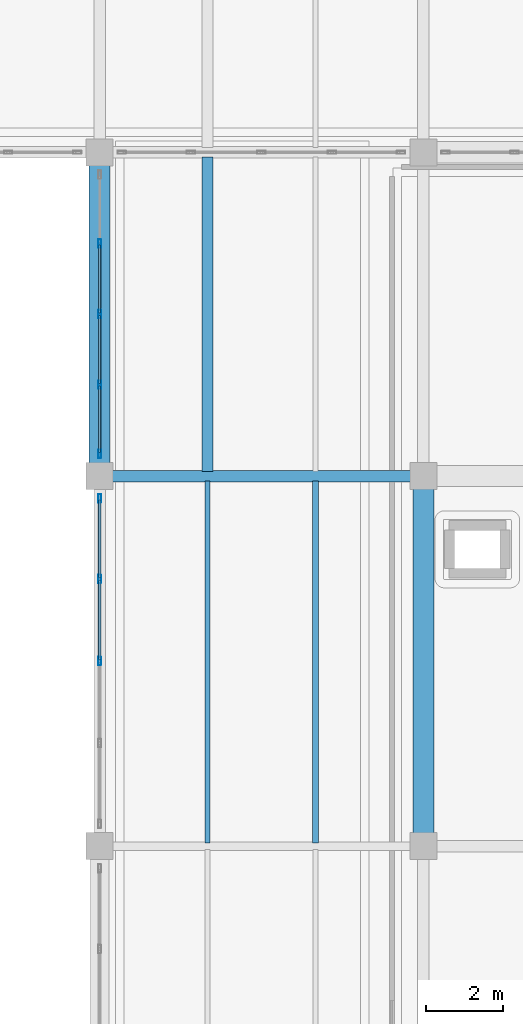
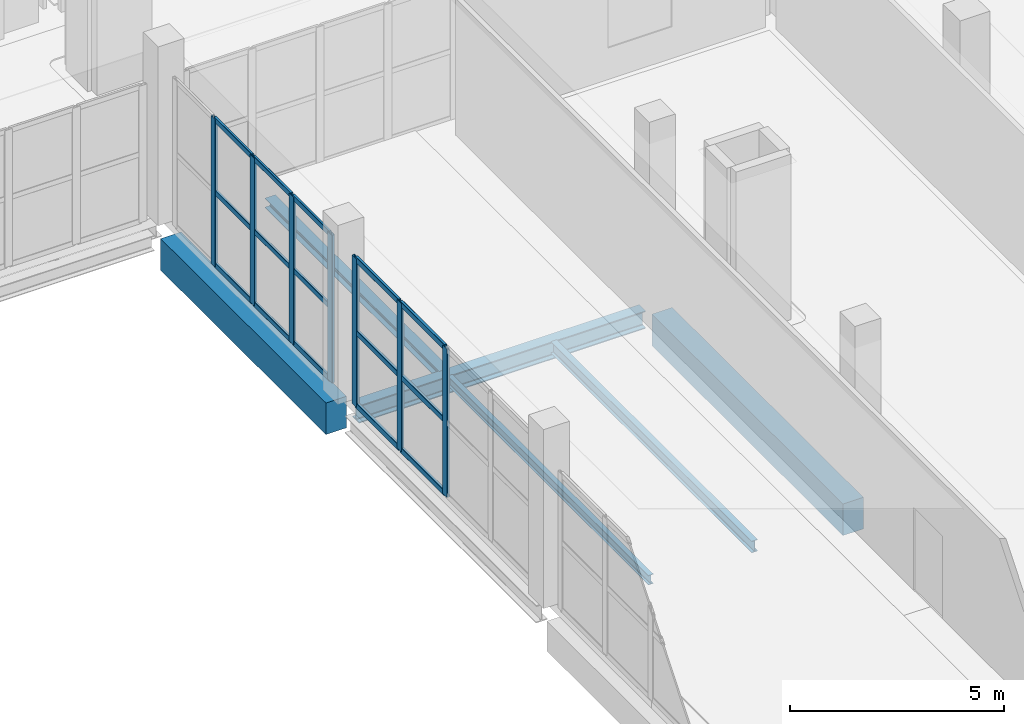
# One storey, part 30 of 73: 22 members, 6 beams, 2 elements without a shape of their own.
"""IFC4 building model written with IfcOpenShell, lengths in metres."""

from ifc_helpers import new_model, si_unit, direction, frame, origin, origin_2d, place, context, subcontext, project, spatial, rectangle, hollow_rectangle, i_section, extrude, material, layer, layer_set, material_profile, profile_set, type_object, element, aggregate, save


model = new_model("IFC4")

# Units and contexts
model_context = context("Model", 3, precision=1e-05, world=origin(), true_north=direction((0.0, 1.0)))
body_context = subcontext(model_context, "Body", "Model", "MODEL_VIEW")
ifc_project = project(units=[si_unit("LENGTHUNIT", "METRE"), si_unit("AREAUNIT", "SQUARE_METRE"), si_unit("VOLUMEUNIT", "CUBIC_METRE"), si_unit("PLANEANGLEUNIT", "RADIAN"), si_unit("MASSUNIT", "GRAM", prefix="KILO")], contexts=[model_context])

# Site, building, storey
site_placement = place(None, origin())
site = spatial("IfcSite", under=ifc_project, at=site_placement, CompositionType="ELEMENT")
building_placement = place(site_placement, origin())
building = spatial("IfcBuilding", under=site, at=building_placement, Name="Zulmaris Art Gallery", CompositionType="ELEMENT")
storey_placement = place(building_placement, frame((0.0, 0.0, 10.5)))
storey = spatial("IfcBuildingStorey", under=building, at=storey_placement, Name="L02", CompositionType="ELEMENT", Elevation=10.5)

# Beams
ifc_material_1 = material(Name="Steel S355J2", Category="steel")
ifc_material_profile_1 = material_profile(ifc_material_1, i_section(OverallWidth=0.300048828125, OverallDepth=0.5, WebThickness=0.014404296875, FlangeThickness=0.028076171875, FilletRadius=0.027099609375, at=origin_2d()), Name="HEB 500")
ifc_profile_set_1 = profile_set([ifc_material_profile_1], Name="Steel S355J2")
beam_type_1 = type_object("IfcBeamType", Name="BEAM-BM14", PredefinedType="BEAM", material=ifc_profile_set_1)
beam_1_placement = place(storey_placement, frame((125.135009765625, 50.39990234375, -0.64990234375), z_axis=(1.0, 0.0, 0.0), x_axis=(0.0, 1.0, 0.0)))
element("IfcBeam", 1, at=beam_1_placement, inside=storey, type_object=beam_type_1, Name="L02 X-girder (124.8..133.2, y=50.4)", PredefinedType="BEAM", context=body_context, shape_type="SweptSolid", body=[
    extrude(i_section(OverallWidth=0.300048828125, OverallDepth=0.5, WebThickness=0.014404296875, FlangeThickness=0.028076171875, FilletRadius=0.027099609375, at=origin_2d()), origin(), (0.0, 0.0, 1.0), 7.72998046875),
])
ifc_material_2 = material(Name="Concrete C40/50", Category="concrete")
ifc_material_profile_2 = material_profile(ifc_material_2, rectangle(XDim=0.550048828125, YDim=0.89990234375, at=origin_2d()), Name="RC 550x900")
ifc_profile_set_2 = profile_set([ifc_material_profile_2], Name="Concrete C40/50")
beam_type_2 = type_object("IfcBeamType", Name="BEAM-BM21", PredefinedType="BEAM", material=ifc_profile_set_2)
beam_2_placement = place(storey_placement, frame((124.800048828125, 50.735107421875, -0.85009765625), z_axis=(0.0, 1.0, 0.0), x_axis=(-1.0, 0.0, 0.0)))
element("IfcBeam", 2, at=beam_2_placement, inside=storey, type_object=beam_type_2, Name="L02 Y-girder (x=124.8, 50.4..58.8)", PredefinedType="BEAM", context=body_context, shape_type="SweptSolid", body=[
    extrude(rectangle(XDim=0.550048828125, YDim=0.89990234375, at=origin_2d()), origin(), (0.0, 0.0, 1.0), 7.72998046875),
])
beam_3_placement = place(storey_placement, frame((133.199951171875, 41.135009765625, -0.85009765625), z_axis=(0.0, 1.0, 0.0), x_axis=(-1.0, 0.0, 0.0)))
element("IfcBeam", 3, at=beam_3_placement, inside=storey, type_object=beam_type_2, Name="L02 Y-girder (x=133.2, 40.8..50.4)", PredefinedType="BEAM", context=body_context, shape_type="SweptSolid", body=[
    extrude(rectangle(XDim=0.550048828125, YDim=0.89990234375, at=origin_2d()), origin(), (0.0, 0.0, 1.0), 8.929931640625),
])
ifc_material_profile_3 = material_profile(ifc_material_1, i_section(OverallWidth=0.135009765625, OverallDepth=0.27001953125, WebThickness=0.006591796875, FlangeThickness=0.01025390625, FilletRadius=0.014892578125, at=origin_2d()), Name="IPE 270")
ifc_profile_set_3 = profile_set([ifc_material_profile_3], Name="Steel S355J2")
beam_type_3 = type_object("IfcBeamType", Name="BEAM-JS02", PredefinedType="JOIST", material=ifc_profile_set_3)
beam_4_placement = place(storey_placement, frame((127.60009765625, 40.885009765625, -0.534912109375), z_axis=(0.0, 1.0, 0.0), x_axis=(-1.0, 0.0, 0.0)))
element("IfcBeam", 4, at=beam_4_placement, inside=storey, type_object=beam_type_3, Name="L02 secondary joist at x=127.6", PredefinedType="JOIST", context=body_context, shape_type="SweptSolid", body=[
    extrude(i_section(OverallWidth=0.135009765625, OverallDepth=0.27001953125, WebThickness=0.006591796875, FlangeThickness=0.01025390625, FilletRadius=0.014892578125, at=origin_2d()), origin(), (0.0, 0.0, 1.0), 9.389892578125),
])
ifc_material_profile_4 = material_profile(ifc_material_1, i_section(OverallWidth=0.159912109375, OverallDepth=0.330078125, WebThickness=0.007568359375, FlangeThickness=0.011474609375, FilletRadius=0.01806640625, at=origin_2d()), Name="IPE 330")
ifc_profile_set_4 = profile_set([ifc_material_profile_4], Name="Steel S355J2")
beam_type_4 = type_object("IfcBeamType", Name="BEAM-JS03", PredefinedType="JOIST", material=ifc_profile_set_4)
beam_5_placement = place(storey_placement, frame((130.39990234375, 40.885009765625, -0.56494140625), z_axis=(0.0, 1.0, 0.0), x_axis=(-1.0, 0.0, 0.0)))
element("IfcBeam", 5, at=beam_5_placement, inside=storey, type_object=beam_type_4, Name="L02 secondary joist at x=130.4", PredefinedType="JOIST", context=body_context, shape_type="SweptSolid", body=[
    extrude(i_section(OverallWidth=0.159912109375, OverallDepth=0.330078125, WebThickness=0.007568359375, FlangeThickness=0.011474609375, FilletRadius=0.01806640625, at=origin_2d()), origin(), (0.0, 0.0, 1.0), 9.389892578125),
])
ifc_material_profile_5 = material_profile(ifc_material_1, i_section(OverallWidth=0.280029296875, OverallDepth=0.27001953125, WebThickness=0.008056640625, FlangeThickness=0.012939453125, FilletRadius=0.02392578125, at=origin_2d()), Name="HEA 280")
ifc_profile_set_5 = profile_set([ifc_material_profile_5], Name="Steel S355J2")
beam_type_5 = type_object("IfcBeamType", Name="BEAM-JS04", PredefinedType="JOIST", material=ifc_profile_set_5)
beam_6_placement = place(storey_placement, frame((127.60009765625, 50.52490234375, -0.534912109375), z_axis=(0.0, 1.0, 0.0), x_axis=(-1.0, 0.0, 0.0)))
element("IfcBeam", 6, at=beam_6_placement, inside=storey, type_object=beam_type_5, Name="L02 secondary joist at x=127.6", PredefinedType="JOIST", context=body_context, shape_type="SweptSolid", body=[
    extrude(i_section(OverallWidth=0.280029296875, OverallDepth=0.27001953125, WebThickness=0.008056640625, FlangeThickness=0.012939453125, FilletRadius=0.02392578125, at=origin_2d()), origin(), (0.0, 0.0, 1.0), 8.150146484375),
])

# Curtain wall, members
ifc_material_3 = material(Name="Unitised Low-E Gallery Curtain Wall", Category="aluminium")
ifc_layer = layer(ifc_material_3, 0.179931640625)
ifc_layer_set = layer_set([ifc_layer], Name="Unitised Low-E Gallery Curtain Wall")
curtain_wall_type = type_object("IfcCurtainWallType", Name="CW-CW01", PredefinedType="NOTDEFINED", material=ifc_layer_set)
curtain_wall_1_placement = place(storey_placement, origin())
curtain_wall_1 = element("IfcCurtainWall", 7, at=curtain_wall_1_placement, inside=storey, type_object=curtain_wall_type, Name="L02 curtain wall 112", PredefinedType="NOTDEFINED")
ifc_material_4 = material(Name="Anodised Bronze Aluminium", Category="aluminium")
ifc_material_profile_6 = material_profile(ifc_material_4, hollow_rectangle(XDim=0.074951171875, YDim=0.219970703125, WallThickness=0.0048828125, InnerFilletRadius=0.007568359375, OuterFilletRadius=0.012451171875, at=origin_2d()), Name="ALU 75x220x5")
ifc_profile_set_6 = profile_set([ifc_material_profile_6], Name="Anodised Bronze Aluminium")
member_type_1 = type_object("IfcMemberType", Name="CWMUL-02", PredefinedType="MULLION", material=ifc_profile_set_6)
member_1_placement = place(storey_placement, frame((124.800048828125, 45.60009765625, 0.0), z_axis=(0.0, 0.0, 1.0), x_axis=(-1.0, 0.0, 0.0)))
member_1 = element("IfcMember", 8, at=member_1_placement, type_object=member_type_1, Name="CW01 mullion 3", PredefinedType="MULLION", context=body_context, shape_type="SweptSolid", body=[
    extrude(hollow_rectangle(XDim=0.074951171875, YDim=0.219970703125, WallThickness=0.0048828125, InnerFilletRadius=0.007568359375, OuterFilletRadius=0.012451171875, at=origin_2d()), origin(), (0.0, 0.0, 1.0), 4.22998046875),
])
member_2_placement = place(storey_placement, frame((124.800048828125, 47.72998046875, 0.0), z_axis=(0.0, 0.0, 1.0), x_axis=(-1.0, 0.0, 0.0)))
member_2 = element("IfcMember", 9, at=member_2_placement, type_object=member_type_1, Name="CW01 mullion 4", PredefinedType="MULLION", context=body_context, shape_type="SweptSolid", body=[
    extrude(hollow_rectangle(XDim=0.074951171875, YDim=0.219970703125, WallThickness=0.0048828125, InnerFilletRadius=0.007568359375, OuterFilletRadius=0.012451171875, at=origin_2d()), origin(), (0.0, 0.0, 1.0), 4.22998046875),
])
member_3_placement = place(storey_placement, frame((124.800048828125, 49.822509765625, 0.0), z_axis=(0.0, 0.0, 1.0), x_axis=(-1.0, 0.0, 0.0)))
member_3 = element("IfcMember", 10, at=member_3_placement, type_object=member_type_1, Name="CW01 mullion 5", PredefinedType="MULLION", context=body_context, shape_type="SweptSolid", body=[
    extrude(hollow_rectangle(XDim=0.074951171875, YDim=0.219970703125, WallThickness=0.0048828125, InnerFilletRadius=0.007568359375, OuterFilletRadius=0.012451171875, at=origin_2d()), origin(), (0.0, 0.0, 1.0), 4.22998046875),
])

curtain_wall_2_placement = place(storey_placement, origin())
curtain_wall_2 = element("IfcCurtainWall", 11, at=curtain_wall_2_placement, inside=storey, type_object=curtain_wall_type, Name="L02 curtain wall 113", PredefinedType="NOTDEFINED")
member_4_placement = place(storey_placement, frame((124.800048828125, 50.9775390625, 0.0), z_axis=(0.0, 0.0, 1.0), x_axis=(-1.0, 0.0, 0.0)))
member_4 = element("IfcMember", 12, at=member_4_placement, type_object=member_type_1, Name="CW01 mullion 1", PredefinedType="MULLION", context=body_context, shape_type="SweptSolid", body=[
    extrude(hollow_rectangle(XDim=0.074951171875, YDim=0.219970703125, WallThickness=0.0048828125, InnerFilletRadius=0.007568359375, OuterFilletRadius=0.012451171875, at=origin_2d()), origin(), (0.0, 0.0, 1.0), 4.2099609375),
])
member_5_placement = place(storey_placement, frame((124.800048828125, 52.77001953125, 0.0), z_axis=(0.0, 0.0, 1.0), x_axis=(-1.0, 0.0, 0.0)))
member_5 = element("IfcMember", 13, at=member_5_placement, type_object=member_type_1, Name="CW01 mullion 2", PredefinedType="MULLION", context=body_context, shape_type="SweptSolid", body=[
    extrude(hollow_rectangle(XDim=0.074951171875, YDim=0.219970703125, WallThickness=0.0048828125, InnerFilletRadius=0.007568359375, OuterFilletRadius=0.012451171875, at=origin_2d()), origin(), (0.0, 0.0, 1.0), 4.2099609375),
])
member_6_placement = place(storey_placement, frame((124.800048828125, 54.60009765625, 0.0), z_axis=(0.0, 0.0, 1.0), x_axis=(-1.0, 0.0, 0.0)))
member_6 = element("IfcMember", 14, at=member_6_placement, type_object=member_type_1, Name="CW01 mullion 3", PredefinedType="MULLION", context=body_context, shape_type="SweptSolid", body=[
    extrude(hollow_rectangle(XDim=0.074951171875, YDim=0.219970703125, WallThickness=0.0048828125, InnerFilletRadius=0.007568359375, OuterFilletRadius=0.012451171875, at=origin_2d()), origin(), (0.0, 0.0, 1.0), 4.2099609375),
])
member_7_placement = place(storey_placement, frame((124.800048828125, 56.429931640625, 0.0), z_axis=(0.0, 0.0, 1.0), x_axis=(-1.0, 0.0, 0.0)))
member_7 = element("IfcMember", 15, at=member_7_placement, type_object=member_type_1, Name="CW01 mullion 4", PredefinedType="MULLION", context=body_context, shape_type="SweptSolid", body=[
    extrude(hollow_rectangle(XDim=0.074951171875, YDim=0.219970703125, WallThickness=0.0048828125, InnerFilletRadius=0.007568359375, OuterFilletRadius=0.012451171875, at=origin_2d()), origin(), (0.0, 0.0, 1.0), 4.2099609375),
])
ifc_material_profile_7 = material_profile(ifc_material_4, hollow_rectangle(XDim=0.06494140625, YDim=0.14990234375, WallThickness=0.00390625, InnerFilletRadius=0.006103515625, OuterFilletRadius=0.010009765625, at=origin_2d()), Name="ALU 65x150x4")
ifc_profile_set_7 = profile_set([ifc_material_profile_7], Name="Anodised Bronze Aluminium")
member_type_2 = type_object("IfcMemberType", Name="CWTRN-01", PredefinedType="USERDEFINED", material=ifc_profile_set_7)
member_8_placement = place(storey_placement, frame((124.800048828125, 51.014892578125, 0.03759765625), z_axis=(0.0, 1.0, 0.0), x_axis=(-1.0, 0.0, 0.0)))
member_8 = element("IfcMember", 16, at=member_8_placement, type_object=member_type_2, Name="CW01 transom 1.1", ObjectType="TRANSOM", PredefinedType="USERDEFINED", context=body_context, shape_type="SweptSolid", body=[
    extrude(hollow_rectangle(XDim=0.06494140625, YDim=0.14990234375, WallThickness=0.00390625, InnerFilletRadius=0.006103515625, OuterFilletRadius=0.010009765625, at=origin_2d()), origin(), (0.0, 0.0, 1.0), 1.717529296875),
])
member_9_placement = place(storey_placement, frame((124.800048828125, 51.014892578125, 2.10498046875), z_axis=(0.0, 1.0, 0.0), x_axis=(-1.0, 0.0, 0.0)))
member_9 = element("IfcMember", 17, at=member_9_placement, type_object=member_type_2, Name="CW01 transom 1.2", ObjectType="TRANSOM", PredefinedType="USERDEFINED", context=body_context, shape_type="SweptSolid", body=[
    extrude(hollow_rectangle(XDim=0.06494140625, YDim=0.14990234375, WallThickness=0.00390625, InnerFilletRadius=0.006103515625, OuterFilletRadius=0.010009765625, at=origin_2d()), origin(), (0.0, 0.0, 1.0), 1.717529296875),
])
member_10_placement = place(storey_placement, frame((124.800048828125, 51.014892578125, 4.172607421875), z_axis=(0.0, 1.0, 0.0), x_axis=(-1.0, 0.0, 0.0)))
member_10 = element("IfcMember", 18, at=member_10_placement, type_object=member_type_2, Name="CW01 transom 1.3", ObjectType="TRANSOM", PredefinedType="USERDEFINED", context=body_context, shape_type="SweptSolid", body=[
    extrude(hollow_rectangle(XDim=0.06494140625, YDim=0.14990234375, WallThickness=0.00390625, InnerFilletRadius=0.006103515625, OuterFilletRadius=0.010009765625, at=origin_2d()), origin(), (0.0, 0.0, 1.0), 1.717529296875),
])
member_11_placement = place(storey_placement, frame((124.800048828125, 52.8076171875, 0.03759765625), z_axis=(0.0, 1.0, 0.0), x_axis=(-1.0, 0.0, 0.0)))
member_11 = element("IfcMember", 19, at=member_11_placement, type_object=member_type_2, Name="CW01 transom 2.1", ObjectType="TRANSOM", PredefinedType="USERDEFINED", context=body_context, shape_type="SweptSolid", body=[
    extrude(hollow_rectangle(XDim=0.06494140625, YDim=0.14990234375, WallThickness=0.00390625, InnerFilletRadius=0.006103515625, OuterFilletRadius=0.010009765625, at=origin_2d()), origin(), (0.0, 0.0, 1.0), 1.7548828125),
])
member_12_placement = place(storey_placement, frame((124.800048828125, 52.8076171875, 2.10498046875), z_axis=(0.0, 1.0, 0.0), x_axis=(-1.0, 0.0, 0.0)))
member_12 = element("IfcMember", 20, at=member_12_placement, type_object=member_type_2, Name="CW01 transom 2.2", ObjectType="TRANSOM", PredefinedType="USERDEFINED", context=body_context, shape_type="SweptSolid", body=[
    extrude(hollow_rectangle(XDim=0.06494140625, YDim=0.14990234375, WallThickness=0.00390625, InnerFilletRadius=0.006103515625, OuterFilletRadius=0.010009765625, at=origin_2d()), origin(), (0.0, 0.0, 1.0), 1.7548828125),
])
member_13_placement = place(storey_placement, frame((124.800048828125, 52.8076171875, 4.172607421875), z_axis=(0.0, 1.0, 0.0), x_axis=(-1.0, 0.0, 0.0)))
member_13 = element("IfcMember", 21, at=member_13_placement, type_object=member_type_2, Name="CW01 transom 2.3", ObjectType="TRANSOM", PredefinedType="USERDEFINED", context=body_context, shape_type="SweptSolid", body=[
    extrude(hollow_rectangle(XDim=0.06494140625, YDim=0.14990234375, WallThickness=0.00390625, InnerFilletRadius=0.006103515625, OuterFilletRadius=0.010009765625, at=origin_2d()), origin(), (0.0, 0.0, 1.0), 1.7548828125),
])
member_14_placement = place(storey_placement, frame((124.800048828125, 54.637451171875, 0.03759765625), z_axis=(0.0, 1.0, 0.0), x_axis=(-1.0, 0.0, 0.0)))
member_14 = element("IfcMember", 22, at=member_14_placement, type_object=member_type_2, Name="CW01 transom 3.1", ObjectType="TRANSOM", PredefinedType="USERDEFINED", context=body_context, shape_type="SweptSolid", body=[
    extrude(hollow_rectangle(XDim=0.06494140625, YDim=0.14990234375, WallThickness=0.00390625, InnerFilletRadius=0.006103515625, OuterFilletRadius=0.010009765625, at=origin_2d()), origin(), (0.0, 0.0, 1.0), 1.755126953125),
])
member_15_placement = place(storey_placement, frame((124.800048828125, 54.637451171875, 2.10498046875), z_axis=(0.0, 1.0, 0.0), x_axis=(-1.0, 0.0, 0.0)))
member_15 = element("IfcMember", 23, at=member_15_placement, type_object=member_type_2, Name="CW01 transom 3.2", ObjectType="TRANSOM", PredefinedType="USERDEFINED", context=body_context, shape_type="SweptSolid", body=[
    extrude(hollow_rectangle(XDim=0.06494140625, YDim=0.14990234375, WallThickness=0.00390625, InnerFilletRadius=0.006103515625, OuterFilletRadius=0.010009765625, at=origin_2d()), origin(), (0.0, 0.0, 1.0), 1.755126953125),
])
member_16_placement = place(storey_placement, frame((124.800048828125, 54.637451171875, 4.172607421875), z_axis=(0.0, 1.0, 0.0), x_axis=(-1.0, 0.0, 0.0)))
member_16 = element("IfcMember", 24, at=member_16_placement, type_object=member_type_2, Name="CW01 transom 3.3", ObjectType="TRANSOM", PredefinedType="USERDEFINED", context=body_context, shape_type="SweptSolid", body=[
    extrude(hollow_rectangle(XDim=0.06494140625, YDim=0.14990234375, WallThickness=0.00390625, InnerFilletRadius=0.006103515625, OuterFilletRadius=0.010009765625, at=origin_2d()), origin(), (0.0, 0.0, 1.0), 1.755126953125),
])
aggregate(curtain_wall_2, [member_4, member_5, member_6, member_7, member_8, member_9, member_10, member_11, member_12, member_13, member_14, member_15, member_16])

# Member
ifc_material_profile_8 = material_profile(ifc_material_4, hollow_rectangle(XDim=0.074951171875, YDim=0.159912109375, WallThickness=0.00390625, InnerFilletRadius=0.006103515625, OuterFilletRadius=0.010009765625, at=origin_2d()), Name="ALU 75x160x4")
ifc_profile_set_8 = profile_set([ifc_material_profile_8], Name="Anodised Bronze Aluminium")
member_type_3 = type_object("IfcMemberType", Name="CWTRN-02", PredefinedType="USERDEFINED", material=ifc_profile_set_8)
member_17_placement = place(storey_placement, frame((124.800048828125, 45.637451171875, 0.03759765625), z_axis=(0.0, 1.0, 0.0), x_axis=(-1.0, 0.0, 0.0)))
member_17 = element("IfcMember", 25, at=member_17_placement, type_object=member_type_3, Name="CW01 transom 3.1", ObjectType="TRANSOM", PredefinedType="USERDEFINED", context=body_context, shape_type="SweptSolid", body=[
    extrude(hollow_rectangle(XDim=0.074951171875, YDim=0.159912109375, WallThickness=0.00390625, InnerFilletRadius=0.006103515625, OuterFilletRadius=0.010009765625, at=origin_2d()), origin(), (0.0, 0.0, 1.0), 2.054931640625),
])

member_18_placement = place(storey_placement, frame((124.800048828125, 45.637451171875, 2.114990234375), z_axis=(0.0, 1.0, 0.0), x_axis=(-1.0, 0.0, 0.0)))
member_18 = element("IfcMember", 26, at=member_18_placement, type_object=member_type_3, Name="CW01 transom 3.2", ObjectType="TRANSOM", PredefinedType="USERDEFINED", context=body_context, shape_type="SweptSolid", body=[
    extrude(hollow_rectangle(XDim=0.074951171875, YDim=0.159912109375, WallThickness=0.00390625, InnerFilletRadius=0.006103515625, OuterFilletRadius=0.010009765625, at=origin_2d()), origin(), (0.0, 0.0, 1.0), 2.054931640625),
])

member_19_placement = place(storey_placement, frame((124.800048828125, 45.637451171875, 4.1923828125), z_axis=(0.0, 1.0, 0.0), x_axis=(-1.0, 0.0, 0.0)))
member_19 = element("IfcMember", 27, at=member_19_placement, type_object=member_type_3, Name="CW01 transom 3.3", ObjectType="TRANSOM", PredefinedType="USERDEFINED", context=body_context, shape_type="SweptSolid", body=[
    extrude(hollow_rectangle(XDim=0.074951171875, YDim=0.159912109375, WallThickness=0.00390625, InnerFilletRadius=0.006103515625, OuterFilletRadius=0.010009765625, at=origin_2d()), origin(), (0.0, 0.0, 1.0), 2.054931640625),
])

member_20_placement = place(storey_placement, frame((124.800048828125, 47.767578125, 0.03759765625), z_axis=(0.0, 1.0, 0.0), x_axis=(-1.0, 0.0, 0.0)))
member_20 = element("IfcMember", 28, at=member_20_placement, type_object=member_type_3, Name="CW01 transom 4.1", ObjectType="TRANSOM", PredefinedType="USERDEFINED", context=body_context, shape_type="SweptSolid", body=[
    extrude(hollow_rectangle(XDim=0.074951171875, YDim=0.159912109375, WallThickness=0.00390625, InnerFilletRadius=0.006103515625, OuterFilletRadius=0.010009765625, at=origin_2d()), origin(), (0.0, 0.0, 1.0), 2.017333984375),
])

member_21_placement = place(storey_placement, frame((124.800048828125, 47.767578125, 2.114990234375), z_axis=(0.0, 1.0, 0.0), x_axis=(-1.0, 0.0, 0.0)))
member_21 = element("IfcMember", 29, at=member_21_placement, type_object=member_type_3, Name="CW01 transom 4.2", ObjectType="TRANSOM", PredefinedType="USERDEFINED", context=body_context, shape_type="SweptSolid", body=[
    extrude(hollow_rectangle(XDim=0.074951171875, YDim=0.159912109375, WallThickness=0.00390625, InnerFilletRadius=0.006103515625, OuterFilletRadius=0.010009765625, at=origin_2d()), origin(), (0.0, 0.0, 1.0), 2.017333984375),
])

member_22_placement = place(storey_placement, frame((124.800048828125, 47.767578125, 4.1923828125), z_axis=(0.0, 1.0, 0.0), x_axis=(-1.0, 0.0, 0.0)))
member_22 = element("IfcMember", 30, at=member_22_placement, type_object=member_type_3, Name="CW01 transom 4.3", ObjectType="TRANSOM", PredefinedType="USERDEFINED", context=body_context, shape_type="SweptSolid", body=[
    extrude(hollow_rectangle(XDim=0.074951171875, YDim=0.159912109375, WallThickness=0.00390625, InnerFilletRadius=0.006103515625, OuterFilletRadius=0.010009765625, at=origin_2d()), origin(), (0.0, 0.0, 1.0), 2.017333984375),
])

aggregate(curtain_wall_1, [member_1, member_2, member_3, member_17, member_18, member_19, member_20, member_21, member_22])

save(model, "model.ifc")
